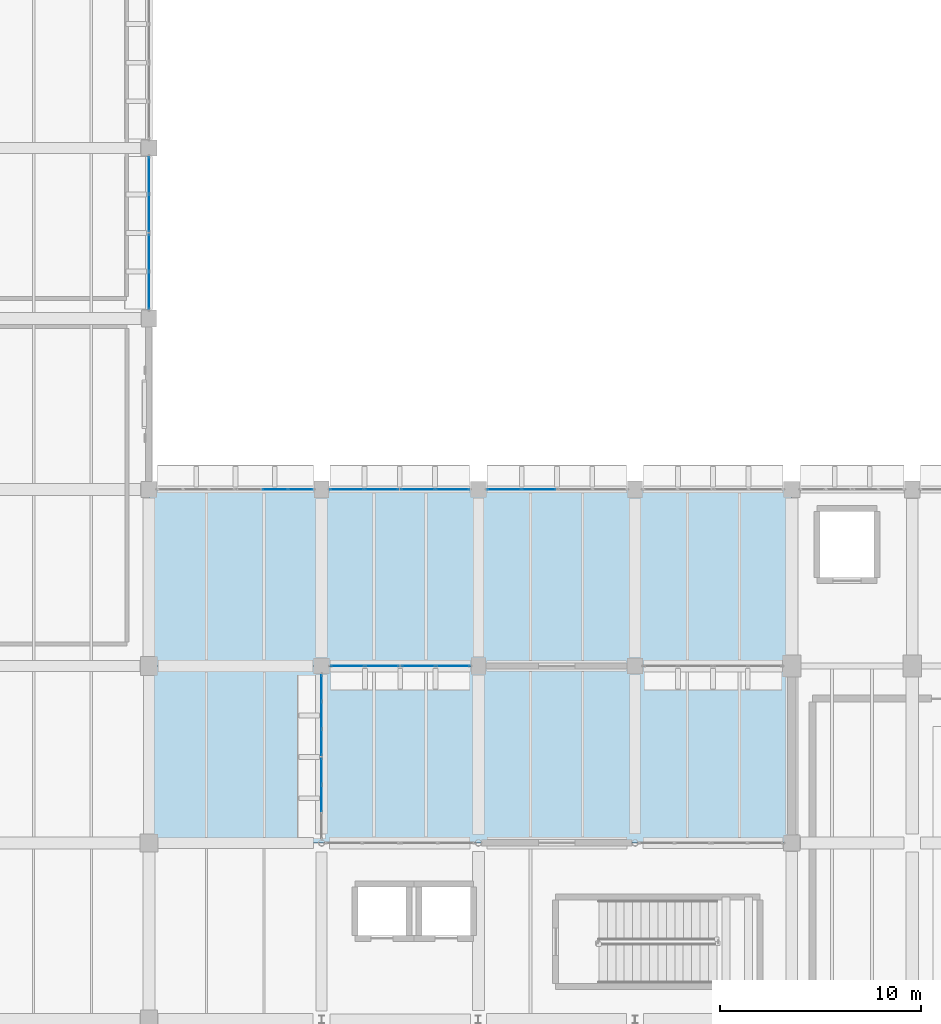
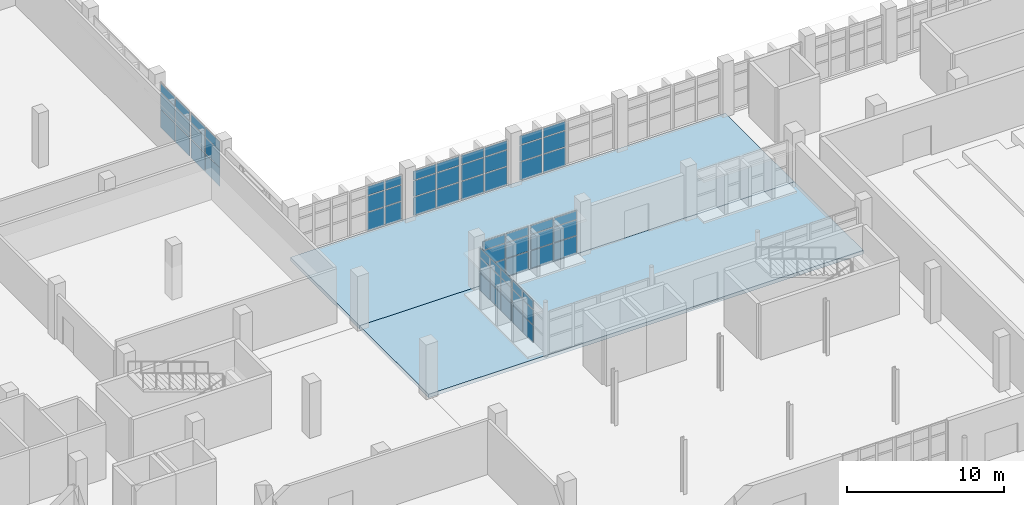
# One storey, part 51 of 76: 63 plates, 2 slabs, 10 elements without a shape of their own.
"""IFC4 building model written with IfcOpenShell, lengths in metres."""

from ifc_helpers import new_model, si_unit, direction, frame, origin, origin_2d, place, context, subcontext, project, spatial, polyline, rectangle, outline, extrude, material, layer, layer_set, type_object, element, aggregate, save


model = new_model("IFC4")

# Units and contexts
model_context = context("Model", 3, precision=1e-05, world=origin(), true_north=direction((0.0, 1.0)))
body_context = subcontext(model_context, "Body", "Model", "MODEL_VIEW")
ifc_project = project(units=[si_unit("LENGTHUNIT", "METRE"), si_unit("AREAUNIT", "SQUARE_METRE"), si_unit("VOLUMEUNIT", "CUBIC_METRE"), si_unit("PLANEANGLEUNIT", "RADIAN"), si_unit("MASSUNIT", "GRAM", prefix="KILO")], contexts=[model_context])

# Site, building, storey
site_placement = place(None, origin())
site = spatial("IfcSite", under=ifc_project, at=site_placement, CompositionType="ELEMENT")
building_placement = place(site_placement, origin())
building = spatial("IfcBuilding", under=site, at=building_placement, Name="Varnakota Cinema and Media Centre", CompositionType="ELEMENT")
storey_placement = place(building_placement, origin())
storey = spatial("IfcBuildingStorey", under=building, at=storey_placement, Name="L00", CompositionType="ELEMENT", Elevation=0.0)

# Curtain wall, plates
ifc_material_1 = material(Name="Thermally broken anodised aluminium AW-6063", Category="aluminium")
curtain_wall_type_1 = type_object("IfcCurtainWallType", Name="CW-STD-389x358", PredefinedType="USERDEFINED", material=ifc_material_1)
curtain_wall_1_placement = place(storey_placement, origin())
curtain_wall_1 = element("IfcCurtainWall", 1, at=curtain_wall_1_placement, inside=storey, type_object=curtain_wall_type_1, Name="L00 curtain wall CW-L00-LINK-N-01-2", ObjectType="UNITISED CURTAIN WALL", PredefinedType="USERDEFINED")
ifc_material_2 = material(Name="Laminated solar-control double glazing", Category="glass")
ifc_layer_1 = layer(ifc_material_2, 0.028076171875)
ifc_layer_set_1 = layer_set([ifc_layer_1], Name="Laminated solar-control double glazing")
plate_type = type_object("IfcPlateType", Name="CWP-DGU-28", PredefinedType="CURTAIN_PANEL", material=ifc_layer_set_1)
plate_1_placement = place(storey_placement, frame((49.27880859375, 44.0, 0.06494140625), z_axis=(0.0, 0.0, 1.0), x_axis=(1.0, 0.0, 0.0)))
plate_1 = element("IfcPlate", 2, at=plate_1_placement, type_object=plate_type, Name="CW07 panel 2.1", PredefinedType="CURTAIN_PANEL", context=body_context, shape_type="SweptSolid", body=[
    extrude(rectangle(XDim=1.232421875, YDim=0.028076171875, at=origin_2d()), origin(), (0.0, 0.0, 1.0), 1.408203125),
])
plate_2_placement = place(storey_placement, frame((49.27880859375, 44.0, 1.5380859375), z_axis=(0.0, 0.0, 1.0), x_axis=(1.0, 0.0, 0.0)))
plate_2 = element("IfcPlate", 3, at=plate_2_placement, type_object=plate_type, Name="CW07 panel 2.2", PredefinedType="CURTAIN_PANEL", context=body_context, shape_type="SweptSolid", body=[
    extrude(rectangle(XDim=1.232421875, YDim=0.028076171875, at=origin_2d()), origin(), (0.0, 0.0, 1.0), 1.2255859375),
])
plate_3_placement = place(storey_placement, frame((49.27880859375, 44.0, 2.82861328125), z_axis=(0.0, 0.0, 1.0), x_axis=(1.0, 0.0, 0.0)))
plate_3 = element("IfcPlate", 4, at=plate_3_placement, type_object=plate_type, Name="CW07 panel 2.3", PredefinedType="CURTAIN_PANEL", context=body_context, shape_type="SweptSolid", body=[
    extrude(rectangle(XDim=1.232421875, YDim=0.028076171875, at=origin_2d()), origin(), (0.0, 0.0, 1.0), 0.691162109375),
])
plate_4_placement = place(storey_placement, frame((50.56005859375, 44.0, 0.06494140625), z_axis=(0.0, 0.0, 1.0), x_axis=(1.0, 0.0, 0.0)))
plate_4 = element("IfcPlate", 5, at=plate_4_placement, type_object=plate_type, Name="CW07 panel 3.1", PredefinedType="CURTAIN_PANEL", context=body_context, shape_type="SweptSolid", body=[
    extrude(rectangle(XDim=1.199951171875, YDim=0.028076171875, at=origin_2d()), origin(), (0.0, 0.0, 1.0), 1.408203125),
])
plate_5_placement = place(storey_placement, frame((50.56005859375, 44.0, 1.5380859375), z_axis=(0.0, 0.0, 1.0), x_axis=(1.0, 0.0, 0.0)))
plate_5 = element("IfcPlate", 6, at=plate_5_placement, type_object=plate_type, Name="CW07 panel 3.2", PredefinedType="CURTAIN_PANEL", context=body_context, shape_type="SweptSolid", body=[
    extrude(rectangle(XDim=1.199951171875, YDim=0.028076171875, at=origin_2d()), origin(), (0.0, 0.0, 1.0), 1.2255859375),
])
plate_6_placement = place(storey_placement, frame((50.56005859375, 44.0, 2.82861328125), z_axis=(0.0, 0.0, 1.0), x_axis=(1.0, 0.0, 0.0)))
plate_6 = element("IfcPlate", 7, at=plate_6_placement, type_object=plate_type, Name="CW07 panel 3.3", PredefinedType="CURTAIN_PANEL", context=body_context, shape_type="SweptSolid", body=[
    extrude(rectangle(XDim=1.199951171875, YDim=0.028076171875, at=origin_2d()), origin(), (0.0, 0.0, 1.0), 0.691162109375),
])
aggregate(curtain_wall_1, [plate_1, plate_2, plate_3, plate_4, plate_5, plate_6])

ifc_material_3 = material(Name="Thermally broken anodised aluminium AW-6063", Category="aluminium")
curtain_wall_type_2 = type_object("IfcCurtainWallType", Name="CW-STD-349x358", PredefinedType="USERDEFINED", material=ifc_material_3)
curtain_wall_2_placement = place(storey_placement, origin())
curtain_wall_2 = element("IfcCurtainWall", 8, at=curtain_wall_2_placement, inside=storey, type_object=curtain_wall_type_2, Name="L00 curtain wall CW-L00-LINK-N-02-1", ObjectType="UNITISED CURTAIN WALL", PredefinedType="USERDEFINED")
plate_7_placement = place(storey_placement, frame((52.8642578125, 44.0, 0.06494140625), z_axis=(0.0, 0.0, 1.0), x_axis=(1.0, 0.0, 0.0)))
plate_7 = element("IfcPlate", 9, at=plate_7_placement, type_object=plate_type, Name="CW08 panel 1.1", PredefinedType="CURTAIN_PANEL", context=body_context, shape_type="SweptSolid", body=[
    extrude(rectangle(XDim=1.648681640625, YDim=0.028076171875, at=origin_2d()), origin(), (0.0, 0.0, 1.0), 1.408203125),
])
plate_8_placement = place(storey_placement, frame((52.8642578125, 44.0, 1.5380859375), z_axis=(0.0, 0.0, 1.0), x_axis=(1.0, 0.0, 0.0)))
plate_8 = element("IfcPlate", 10, at=plate_8_placement, type_object=plate_type, Name="CW08 panel 1.2", PredefinedType="CURTAIN_PANEL", context=body_context, shape_type="SweptSolid", body=[
    extrude(rectangle(XDim=1.648681640625, YDim=0.028076171875, at=origin_2d()), origin(), (0.0, 0.0, 1.0), 1.2255859375),
])
plate_9_placement = place(storey_placement, frame((52.8642578125, 44.0, 2.82861328125), z_axis=(0.0, 0.0, 1.0), x_axis=(1.0, 0.0, 0.0)))
plate_9 = element("IfcPlate", 11, at=plate_9_placement, type_object=plate_type, Name="CW08 panel 1.3", PredefinedType="CURTAIN_PANEL", context=body_context, shape_type="SweptSolid", body=[
    extrude(rectangle(XDim=1.648681640625, YDim=0.028076171875, at=origin_2d()), origin(), (0.0, 0.0, 1.0), 0.691162109375),
])
plate_10_placement = place(storey_placement, frame((54.578125, 44.0, 0.06494140625), z_axis=(0.0, 0.0, 1.0), x_axis=(1.0, 0.0, 0.0)))
plate_10 = element("IfcPlate", 12, at=plate_10_placement, type_object=plate_type, Name="CW08 panel 2.1", PredefinedType="CURTAIN_PANEL", context=body_context, shape_type="SweptSolid", body=[
    extrude(rectangle(XDim=1.648681640625, YDim=0.028076171875, at=origin_2d()), origin(), (0.0, 0.0, 1.0), 1.408203125),
])
plate_11_placement = place(storey_placement, frame((54.578125, 44.0, 1.5380859375), z_axis=(0.0, 0.0, 1.0), x_axis=(1.0, 0.0, 0.0)))
plate_11 = element("IfcPlate", 13, at=plate_11_placement, type_object=plate_type, Name="CW08 panel 2.2", PredefinedType="CURTAIN_PANEL", context=body_context, shape_type="SweptSolid", body=[
    extrude(rectangle(XDim=1.648681640625, YDim=0.028076171875, at=origin_2d()), origin(), (0.0, 0.0, 1.0), 1.2255859375),
])
plate_12_placement = place(storey_placement, frame((54.578125, 44.0, 2.82861328125), z_axis=(0.0, 0.0, 1.0), x_axis=(1.0, 0.0, 0.0)))
plate_12 = element("IfcPlate", 14, at=plate_12_placement, type_object=plate_type, Name="CW08 panel 2.3", PredefinedType="CURTAIN_PANEL", context=body_context, shape_type="SweptSolid", body=[
    extrude(rectangle(XDim=1.648681640625, YDim=0.028076171875, at=origin_2d()), origin(), (0.0, 0.0, 1.0), 0.691162109375),
])
aggregate(curtain_wall_2, [plate_7, plate_8, plate_9, plate_10, plate_11, plate_12])

curtain_wall_3_placement = place(storey_placement, origin())
curtain_wall_3 = element("IfcCurtainWall", 15, at=curtain_wall_3_placement, inside=storey, type_object=curtain_wall_type_2, Name="L00 curtain wall CW-L00-LINK-N-02-2", ObjectType="UNITISED CURTAIN WALL", PredefinedType="USERDEFINED")
plate_13_placement = place(storey_placement, frame((56.39697265625, 44.0, 0.06494140625), z_axis=(0.0, 0.0, 1.0), x_axis=(1.0, 0.0, 0.0)))
plate_13 = element("IfcPlate", 16, at=plate_13_placement, type_object=plate_type, Name="CW08 panel 1.1", PredefinedType="CURTAIN_PANEL", context=body_context, shape_type="SweptSolid", body=[
    extrude(rectangle(XDim=1.648681640625, YDim=0.028076171875, at=origin_2d()), origin(), (0.0, 0.0, 1.0), 1.408203125),
])
plate_14_placement = place(storey_placement, frame((56.39697265625, 44.0, 1.5380859375), z_axis=(0.0, 0.0, 1.0), x_axis=(1.0, 0.0, 0.0)))
plate_14 = element("IfcPlate", 17, at=plate_14_placement, type_object=plate_type, Name="CW08 panel 1.2", PredefinedType="CURTAIN_PANEL", context=body_context, shape_type="SweptSolid", body=[
    extrude(rectangle(XDim=1.648681640625, YDim=0.028076171875, at=origin_2d()), origin(), (0.0, 0.0, 1.0), 1.2255859375),
])
plate_15_placement = place(storey_placement, frame((56.39697265625, 44.0, 2.82861328125), z_axis=(0.0, 0.0, 1.0), x_axis=(1.0, 0.0, 0.0)))
plate_15 = element("IfcPlate", 18, at=plate_15_placement, type_object=plate_type, Name="CW08 panel 1.3", PredefinedType="CURTAIN_PANEL", context=body_context, shape_type="SweptSolid", body=[
    extrude(rectangle(XDim=1.648681640625, YDim=0.028076171875, at=origin_2d()), origin(), (0.0, 0.0, 1.0), 0.691162109375),
])
plate_16_placement = place(storey_placement, frame((58.110595703125, 44.0, 0.06494140625), z_axis=(0.0, 0.0, 1.0), x_axis=(1.0, 0.0, 0.0)))
plate_16 = element("IfcPlate", 19, at=plate_16_placement, type_object=plate_type, Name="CW08 panel 2.1", PredefinedType="CURTAIN_PANEL", context=body_context, shape_type="SweptSolid", body=[
    extrude(rectangle(XDim=1.648681640625, YDim=0.028076171875, at=origin_2d()), origin(), (0.0, 0.0, 1.0), 1.408203125),
])
plate_17_placement = place(storey_placement, frame((58.110595703125, 44.0, 1.5380859375), z_axis=(0.0, 0.0, 1.0), x_axis=(1.0, 0.0, 0.0)))
plate_17 = element("IfcPlate", 20, at=plate_17_placement, type_object=plate_type, Name="CW08 panel 2.2", PredefinedType="CURTAIN_PANEL", context=body_context, shape_type="SweptSolid", body=[
    extrude(rectangle(XDim=1.648681640625, YDim=0.028076171875, at=origin_2d()), origin(), (0.0, 0.0, 1.0), 1.2255859375),
])
plate_18_placement = place(storey_placement, frame((58.110595703125, 44.0, 2.82861328125), z_axis=(0.0, 0.0, 1.0), x_axis=(1.0, 0.0, 0.0)))
plate_18 = element("IfcPlate", 21, at=plate_18_placement, type_object=plate_type, Name="CW08 panel 2.3", PredefinedType="CURTAIN_PANEL", context=body_context, shape_type="SweptSolid", body=[
    extrude(rectangle(XDim=1.648681640625, YDim=0.028076171875, at=origin_2d()), origin(), (0.0, 0.0, 1.0), 0.691162109375),
])
aggregate(curtain_wall_3, [plate_13, plate_14, plate_15, plate_16, plate_17, plate_18])

curtain_wall_4_placement = place(storey_placement, origin())
curtain_wall_4 = element("IfcCurtainWall", 22, at=curtain_wall_4_placement, inside=storey, type_object=curtain_wall_type_2, Name="L00 curtain wall CW-L00-LINK-N-03-1", ObjectType="UNITISED CURTAIN WALL", PredefinedType="USERDEFINED")
plate_19_placement = place(storey_placement, frame((60.689453125, 44.0, 0.06494140625), z_axis=(0.0, 0.0, 1.0), x_axis=(1.0, 0.0, 0.0)))
plate_19 = element("IfcPlate", 23, at=plate_19_placement, type_object=plate_type, Name="CW08 panel 1.1", PredefinedType="CURTAIN_PANEL", context=body_context, shape_type="SweptSolid", body=[
    extrude(rectangle(XDim=1.648681640625, YDim=0.028076171875, at=origin_2d()), origin(), (0.0, 0.0, 1.0), 1.408203125),
])
plate_20_placement = place(storey_placement, frame((60.689453125, 44.0, 1.5380859375), z_axis=(0.0, 0.0, 1.0), x_axis=(1.0, 0.0, 0.0)))
plate_20 = element("IfcPlate", 24, at=plate_20_placement, type_object=plate_type, Name="CW08 panel 1.2", PredefinedType="CURTAIN_PANEL", context=body_context, shape_type="SweptSolid", body=[
    extrude(rectangle(XDim=1.648681640625, YDim=0.028076171875, at=origin_2d()), origin(), (0.0, 0.0, 1.0), 1.2255859375),
])
plate_21_placement = place(storey_placement, frame((60.689453125, 44.0, 2.82861328125), z_axis=(0.0, 0.0, 1.0), x_axis=(1.0, 0.0, 0.0)))
plate_21 = element("IfcPlate", 25, at=plate_21_placement, type_object=plate_type, Name="CW08 panel 1.3", PredefinedType="CURTAIN_PANEL", context=body_context, shape_type="SweptSolid", body=[
    extrude(rectangle(XDim=1.648681640625, YDim=0.028076171875, at=origin_2d()), origin(), (0.0, 0.0, 1.0), 0.691162109375),
])
plate_22_placement = place(storey_placement, frame((62.403076171875, 44.0, 0.06494140625), z_axis=(0.0, 0.0, 1.0), x_axis=(1.0, 0.0, 0.0)))
plate_22 = element("IfcPlate", 26, at=plate_22_placement, type_object=plate_type, Name="CW08 panel 2.1", PredefinedType="CURTAIN_PANEL", context=body_context, shape_type="SweptSolid", body=[
    extrude(rectangle(XDim=1.648681640625, YDim=0.028076171875, at=origin_2d()), origin(), (0.0, 0.0, 1.0), 1.408203125),
])
plate_23_placement = place(storey_placement, frame((62.403076171875, 44.0, 1.5380859375), z_axis=(0.0, 0.0, 1.0), x_axis=(1.0, 0.0, 0.0)))
plate_23 = element("IfcPlate", 27, at=plate_23_placement, type_object=plate_type, Name="CW08 panel 2.2", PredefinedType="CURTAIN_PANEL", context=body_context, shape_type="SweptSolid", body=[
    extrude(rectangle(XDim=1.648681640625, YDim=0.028076171875, at=origin_2d()), origin(), (0.0, 0.0, 1.0), 1.2255859375),
])
plate_24_placement = place(storey_placement, frame((62.403076171875, 44.0, 2.82861328125), z_axis=(0.0, 0.0, 1.0), x_axis=(1.0, 0.0, 0.0)))
plate_24 = element("IfcPlate", 28, at=plate_24_placement, type_object=plate_type, Name="CW08 panel 2.3", PredefinedType="CURTAIN_PANEL", context=body_context, shape_type="SweptSolid", body=[
    extrude(rectangle(XDim=1.648681640625, YDim=0.028076171875, at=origin_2d()), origin(), (0.0, 0.0, 1.0), 0.691162109375),
])
aggregate(curtain_wall_4, [plate_19, plate_20, plate_21, plate_22, plate_23, plate_24])

ifc_material_4 = material(Name="Thermally broken anodised aluminium AW-6063", Category="aluminium")
curtain_wall_type_3 = type_object("IfcCurtainWallType", Name="CW-STD-349x344", PredefinedType="USERDEFINED", material=ifc_material_4)
curtain_wall_5_placement = place(storey_placement, origin())
curtain_wall_5 = element("IfcCurtainWall", 29, at=curtain_wall_5_placement, inside=storey, type_object=curtain_wall_type_3, Name="L00 curtain wall CW-L00-LINK-S-03-1", ObjectType="UNITISED CURTAIN WALL", PredefinedType="USERDEFINED")
plate_25_placement = place(storey_placement, frame((58.1357421875, 35.199951171875, 0.06494140625), z_axis=(0.0, 0.0, 1.0), x_axis=(-1.0, 0.0, 0.0)))
plate_25 = element("IfcPlate", 30, at=plate_25_placement, type_object=plate_type, Name="CW12 panel 1.1", PredefinedType="CURTAIN_PANEL", context=body_context, shape_type="SweptSolid", body=[
    extrude(rectangle(XDim=1.648681640625, YDim=0.028076171875, at=origin_2d()), origin(), (0.0, 0.0, 1.0), 1.34521484375),
])
plate_26_placement = place(storey_placement, frame((58.1357421875, 35.199951171875, 1.47509765625), z_axis=(0.0, 0.0, 1.0), x_axis=(-1.0, 0.0, 0.0)))
plate_26 = element("IfcPlate", 31, at=plate_26_placement, type_object=plate_type, Name="CW12 panel 1.2", PredefinedType="CURTAIN_PANEL", context=body_context, shape_type="SweptSolid", body=[
    extrude(rectangle(XDim=1.648681640625, YDim=0.028076171875, at=origin_2d()), origin(), (0.0, 0.0, 1.0), 1.171630859375),
])
plate_27_placement = place(storey_placement, frame((58.1357421875, 35.199951171875, 2.7119140625), z_axis=(0.0, 0.0, 1.0), x_axis=(-1.0, 0.0, 0.0)))
plate_27 = element("IfcPlate", 32, at=plate_27_placement, type_object=plate_type, Name="CW12 panel 1.3", PredefinedType="CURTAIN_PANEL", context=body_context, shape_type="SweptSolid", body=[
    extrude(rectangle(XDim=1.648681640625, YDim=0.028076171875, at=origin_2d()), origin(), (0.0, 0.0, 1.0), 0.658203125),
])
plate_28_placement = place(storey_placement, frame((56.421875, 35.199951171875, 0.06494140625), z_axis=(0.0, 0.0, 1.0), x_axis=(-1.0, 0.0, 0.0)))
plate_28 = element("IfcPlate", 33, at=plate_28_placement, type_object=plate_type, Name="CW12 panel 2.1", PredefinedType="CURTAIN_PANEL", context=body_context, shape_type="SweptSolid", body=[
    extrude(rectangle(XDim=1.648681640625, YDim=0.028076171875, at=origin_2d()), origin(), (0.0, 0.0, 1.0), 1.34521484375),
])
plate_29_placement = place(storey_placement, frame((56.421875, 35.199951171875, 1.47509765625), z_axis=(0.0, 0.0, 1.0), x_axis=(-1.0, 0.0, 0.0)))
plate_29 = element("IfcPlate", 34, at=plate_29_placement, type_object=plate_type, Name="CW12 panel 2.2", PredefinedType="CURTAIN_PANEL", context=body_context, shape_type="SweptSolid", body=[
    extrude(rectangle(XDim=1.648681640625, YDim=0.028076171875, at=origin_2d()), origin(), (0.0, 0.0, 1.0), 1.171630859375),
])
plate_30_placement = place(storey_placement, frame((56.421875, 35.199951171875, 2.7119140625), z_axis=(0.0, 0.0, 1.0), x_axis=(-1.0, 0.0, 0.0)))
plate_30 = element("IfcPlate", 35, at=plate_30_placement, type_object=plate_type, Name="CW12 panel 2.3", PredefinedType="CURTAIN_PANEL", context=body_context, shape_type="SweptSolid", body=[
    extrude(rectangle(XDim=1.648681640625, YDim=0.028076171875, at=origin_2d()), origin(), (0.0, 0.0, 1.0), 0.658203125),
])
aggregate(curtain_wall_5, [plate_25, plate_26, plate_27, plate_28, plate_29, plate_30])

curtain_wall_6_placement = place(storey_placement, origin())
curtain_wall_6 = element("IfcCurtainWall", 36, at=curtain_wall_6_placement, inside=storey, type_object=curtain_wall_type_3, Name="L00 curtain wall CW-L00-LINK-S-03-2", ObjectType="UNITISED CURTAIN WALL", PredefinedType="USERDEFINED")
plate_31_placement = place(storey_placement, frame((54.60302734375, 35.199951171875, 0.06494140625), z_axis=(0.0, 0.0, 1.0), x_axis=(-1.0, 0.0, 0.0)))
plate_31 = element("IfcPlate", 37, at=plate_31_placement, type_object=plate_type, Name="CW12 panel 1.1", PredefinedType="CURTAIN_PANEL", context=body_context, shape_type="SweptSolid", body=[
    extrude(rectangle(XDim=1.648681640625, YDim=0.028076171875, at=origin_2d()), origin(), (0.0, 0.0, 1.0), 1.34521484375),
])
plate_32_placement = place(storey_placement, frame((54.60302734375, 35.199951171875, 1.47509765625), z_axis=(0.0, 0.0, 1.0), x_axis=(-1.0, 0.0, 0.0)))
plate_32 = element("IfcPlate", 38, at=plate_32_placement, type_object=plate_type, Name="CW12 panel 1.2", PredefinedType="CURTAIN_PANEL", context=body_context, shape_type="SweptSolid", body=[
    extrude(rectangle(XDim=1.648681640625, YDim=0.028076171875, at=origin_2d()), origin(), (0.0, 0.0, 1.0), 1.171630859375),
])
plate_33_placement = place(storey_placement, frame((54.60302734375, 35.199951171875, 2.7119140625), z_axis=(0.0, 0.0, 1.0), x_axis=(-1.0, 0.0, 0.0)))
plate_33 = element("IfcPlate", 39, at=plate_33_placement, type_object=plate_type, Name="CW12 panel 1.3", PredefinedType="CURTAIN_PANEL", context=body_context, shape_type="SweptSolid", body=[
    extrude(rectangle(XDim=1.648681640625, YDim=0.028076171875, at=origin_2d()), origin(), (0.0, 0.0, 1.0), 0.658203125),
])
plate_34_placement = place(storey_placement, frame((52.889404296875, 35.199951171875, 0.06494140625), z_axis=(0.0, 0.0, 1.0), x_axis=(-1.0, 0.0, 0.0)))
plate_34 = element("IfcPlate", 40, at=plate_34_placement, type_object=plate_type, Name="CW12 panel 2.1", PredefinedType="CURTAIN_PANEL", context=body_context, shape_type="SweptSolid", body=[
    extrude(rectangle(XDim=1.648681640625, YDim=0.028076171875, at=origin_2d()), origin(), (0.0, 0.0, 1.0), 1.34521484375),
])
plate_35_placement = place(storey_placement, frame((52.889404296875, 35.199951171875, 1.47509765625), z_axis=(0.0, 0.0, 1.0), x_axis=(-1.0, 0.0, 0.0)))
plate_35 = element("IfcPlate", 41, at=plate_35_placement, type_object=plate_type, Name="CW12 panel 2.2", PredefinedType="CURTAIN_PANEL", context=body_context, shape_type="SweptSolid", body=[
    extrude(rectangle(XDim=1.648681640625, YDim=0.028076171875, at=origin_2d()), origin(), (0.0, 0.0, 1.0), 1.171630859375),
])
plate_36_placement = place(storey_placement, frame((52.889404296875, 35.199951171875, 2.7119140625), z_axis=(0.0, 0.0, 1.0), x_axis=(-1.0, 0.0, 0.0)))
plate_36 = element("IfcPlate", 42, at=plate_36_placement, type_object=plate_type, Name="CW12 panel 2.3", PredefinedType="CURTAIN_PANEL", context=body_context, shape_type="SweptSolid", body=[
    extrude(rectangle(XDim=1.648681640625, YDim=0.028076171875, at=origin_2d()), origin(), (0.0, 0.0, 1.0), 0.658203125),
])
aggregate(curtain_wall_6, [plate_31, plate_32, plate_33, plate_34, plate_35, plate_36])

ifc_material_5 = material(Name="Thermally broken anodised aluminium AW-6063", Category="aluminium")
curtain_wall_type_4 = type_object("IfcCurtainWallType", Name="CW-STD-410x338", PredefinedType="USERDEFINED", material=ifc_material_5)
curtain_wall_7_placement = place(storey_placement, origin())
curtain_wall_7 = element("IfcCurtainWall", 43, at=curtain_wall_7_placement, inside=storey, type_object=curtain_wall_type_4, Name="L00 curtain wall CW-L00-WLINK-E-01-1", ObjectType="UNITISED CURTAIN WALL", PredefinedType="USERDEFINED")
plate_37_placement = place(storey_placement, frame((51.60009765625, 28.611572265625, 0.06494140625), z_axis=(0.0, 0.0, 1.0), x_axis=(0.0, 1.0, 0.0)))
plate_37 = element("IfcPlate", 44, at=plate_37_placement, type_object=plate_type, Name="CW13 panel 2.1", PredefinedType="CURTAIN_PANEL", context=body_context, shape_type="SweptSolid", body=[
    extrude(rectangle(XDim=1.30126953125, YDim=0.028076171875, at=origin_2d()), origin(), (0.0, 0.0, 1.0), 1.32421875),
])
plate_38_placement = place(storey_placement, frame((51.60009765625, 28.611572265625, 1.4541015625), z_axis=(0.0, 0.0, 1.0), x_axis=(0.0, 1.0, 0.0)))
plate_38 = element("IfcPlate", 45, at=plate_38_placement, type_object=plate_type, Name="CW13 panel 2.2", PredefinedType="CURTAIN_PANEL", context=body_context, shape_type="SweptSolid", body=[
    extrude(rectangle(XDim=1.30126953125, YDim=0.028076171875, at=origin_2d()), origin(), (0.0, 0.0, 1.0), 1.153564453125),
])
plate_39_placement = place(storey_placement, frame((51.60009765625, 28.611572265625, 2.6728515625), z_axis=(0.0, 0.0, 1.0), x_axis=(0.0, 1.0, 0.0)))
plate_39 = element("IfcPlate", 46, at=plate_39_placement, type_object=plate_type, Name="CW13 panel 2.3", PredefinedType="CURTAIN_PANEL", context=body_context, shape_type="SweptSolid", body=[
    extrude(rectangle(XDim=1.30126953125, YDim=0.028076171875, at=origin_2d()), origin(), (0.0, 0.0, 1.0), 0.647216796875),
])
plate_40_placement = place(storey_placement, frame((51.60009765625, 29.961669921875, 0.06494140625), z_axis=(0.0, 0.0, 1.0), x_axis=(0.0, 1.0, 0.0)))
plate_40 = element("IfcPlate", 47, at=plate_40_placement, type_object=plate_type, Name="CW13 panel 3.1", PredefinedType="CURTAIN_PANEL", context=body_context, shape_type="SweptSolid", body=[
    extrude(rectangle(XDim=1.268798828125, YDim=0.028076171875, at=origin_2d()), origin(), (0.0, 0.0, 1.0), 1.32421875),
])
plate_41_placement = place(storey_placement, frame((51.60009765625, 29.961669921875, 1.4541015625), z_axis=(0.0, 0.0, 1.0), x_axis=(0.0, 1.0, 0.0)))
plate_41 = element("IfcPlate", 48, at=plate_41_placement, type_object=plate_type, Name="CW13 panel 3.2", PredefinedType="CURTAIN_PANEL", context=body_context, shape_type="SweptSolid", body=[
    extrude(rectangle(XDim=1.268798828125, YDim=0.028076171875, at=origin_2d()), origin(), (0.0, 0.0, 1.0), 1.153564453125),
])
plate_42_placement = place(storey_placement, frame((51.60009765625, 29.961669921875, 2.6728515625), z_axis=(0.0, 0.0, 1.0), x_axis=(0.0, 1.0, 0.0)))
plate_42 = element("IfcPlate", 49, at=plate_42_placement, type_object=plate_type, Name="CW13 panel 3.3", PredefinedType="CURTAIN_PANEL", context=body_context, shape_type="SweptSolid", body=[
    extrude(rectangle(XDim=1.268798828125, YDim=0.028076171875, at=origin_2d()), origin(), (0.0, 0.0, 1.0), 0.647216796875),
])
aggregate(curtain_wall_7, [plate_37, plate_38, plate_39, plate_40, plate_41, plate_42])

curtain_wall_8_placement = place(storey_placement, origin())
curtain_wall_8 = element("IfcCurtainWall", 50, at=curtain_wall_8_placement, inside=storey, type_object=curtain_wall_type_4, Name="L00 curtain wall CW-L00-WLINK-E-01-2", ObjectType="UNITISED CURTAIN WALL", PredefinedType="USERDEFINED")
plate_43_placement = place(storey_placement, frame((51.60009765625, 31.400390625, 0.06494140625), z_axis=(0.0, 0.0, 1.0), x_axis=(0.0, 1.0, 0.0)))
plate_43 = element("IfcPlate", 51, at=plate_43_placement, type_object=plate_type, Name="CW13 panel 1.1", PredefinedType="CURTAIN_PANEL", context=body_context, shape_type="SweptSolid", body=[
    extrude(rectangle(XDim=1.268798828125, YDim=0.028076171875, at=origin_2d()), origin(), (0.0, 0.0, 1.0), 1.32421875),
])
plate_44_placement = place(storey_placement, frame((51.60009765625, 31.400390625, 1.4541015625), z_axis=(0.0, 0.0, 1.0), x_axis=(0.0, 1.0, 0.0)))
plate_44 = element("IfcPlate", 52, at=plate_44_placement, type_object=plate_type, Name="CW13 panel 1.2", PredefinedType="CURTAIN_PANEL", context=body_context, shape_type="SweptSolid", body=[
    extrude(rectangle(XDim=1.268798828125, YDim=0.028076171875, at=origin_2d()), origin(), (0.0, 0.0, 1.0), 1.153564453125),
])
plate_45_placement = place(storey_placement, frame((51.60009765625, 31.400390625, 2.6728515625), z_axis=(0.0, 0.0, 1.0), x_axis=(0.0, 1.0, 0.0)))
plate_45 = element("IfcPlate", 53, at=plate_45_placement, type_object=plate_type, Name="CW13 panel 1.3", PredefinedType="CURTAIN_PANEL", context=body_context, shape_type="SweptSolid", body=[
    extrude(rectangle(XDim=1.268798828125, YDim=0.028076171875, at=origin_2d()), origin(), (0.0, 0.0, 1.0), 0.647216796875),
])
plate_46_placement = place(storey_placement, frame((51.60009765625, 32.75048828125, 0.06494140625), z_axis=(0.0, 0.0, 1.0), x_axis=(0.0, 1.0, 0.0)))
plate_46 = element("IfcPlate", 54, at=plate_46_placement, type_object=plate_type, Name="CW13 panel 2.1", PredefinedType="CURTAIN_PANEL", context=body_context, shape_type="SweptSolid", body=[
    extrude(rectangle(XDim=1.30126953125, YDim=0.028076171875, at=origin_2d()), origin(), (0.0, 0.0, 1.0), 1.32421875),
])
plate_47_placement = place(storey_placement, frame((51.60009765625, 32.75048828125, 1.4541015625), z_axis=(0.0, 0.0, 1.0), x_axis=(0.0, 1.0, 0.0)))
plate_47 = element("IfcPlate", 55, at=plate_47_placement, type_object=plate_type, Name="CW13 panel 2.2", PredefinedType="CURTAIN_PANEL", context=body_context, shape_type="SweptSolid", body=[
    extrude(rectangle(XDim=1.30126953125, YDim=0.028076171875, at=origin_2d()), origin(), (0.0, 0.0, 1.0), 1.153564453125),
])
plate_48_placement = place(storey_placement, frame((51.60009765625, 32.75048828125, 2.6728515625), z_axis=(0.0, 0.0, 1.0), x_axis=(0.0, 1.0, 0.0)))
plate_48 = element("IfcPlate", 56, at=plate_48_placement, type_object=plate_type, Name="CW13 panel 2.3", PredefinedType="CURTAIN_PANEL", context=body_context, shape_type="SweptSolid", body=[
    extrude(rectangle(XDim=1.30126953125, YDim=0.028076171875, at=origin_2d()), origin(), (0.0, 0.0, 1.0), 0.647216796875),
])
plate_49_placement = place(storey_placement, frame((51.60009765625, 34.1005859375, 0.06494140625), z_axis=(0.0, 0.0, 1.0), x_axis=(0.0, 1.0, 0.0)))
plate_49 = element("IfcPlate", 57, at=plate_49_placement, type_object=plate_type, Name="CW13 panel 3.1", PredefinedType="CURTAIN_PANEL", context=body_context, shape_type="SweptSolid", body=[
    extrude(rectangle(XDim=1.268798828125, YDim=0.028076171875, at=origin_2d()), origin(), (0.0, 0.0, 1.0), 1.32421875),
])
plate_50_placement = place(storey_placement, frame((51.60009765625, 34.1005859375, 1.4541015625), z_axis=(0.0, 0.0, 1.0), x_axis=(0.0, 1.0, 0.0)))
plate_50 = element("IfcPlate", 58, at=plate_50_placement, type_object=plate_type, Name="CW13 panel 3.2", PredefinedType="CURTAIN_PANEL", context=body_context, shape_type="SweptSolid", body=[
    extrude(rectangle(XDim=1.268798828125, YDim=0.028076171875, at=origin_2d()), origin(), (0.0, 0.0, 1.0), 1.153564453125),
])
plate_51_placement = place(storey_placement, frame((51.60009765625, 34.1005859375, 2.6728515625), z_axis=(0.0, 0.0, 1.0), x_axis=(0.0, 1.0, 0.0)))
plate_51 = element("IfcPlate", 59, at=plate_51_placement, type_object=plate_type, Name="CW13 panel 3.3", PredefinedType="CURTAIN_PANEL", context=body_context, shape_type="SweptSolid", body=[
    extrude(rectangle(XDim=1.268798828125, YDim=0.028076171875, at=origin_2d()), origin(), (0.0, 0.0, 1.0), 0.647216796875),
])
aggregate(curtain_wall_8, [plate_43, plate_44, plate_45, plate_46, plate_47, plate_48, plate_49, plate_50, plate_51])

ifc_material_6 = material(Name="Thermally broken anodised aluminium AW-6063", Category="aluminium")
curtain_wall_type_5 = type_object("IfcCurtainWallType", Name="CW-STD-382x358", PredefinedType="USERDEFINED", material=ifc_material_6)
curtain_wall_9_placement = place(storey_placement, origin())
curtain_wall_9 = element("IfcCurtainWall", 60, at=curtain_wall_9_placement, inside=storey, type_object=curtain_wall_type_5, Name="L00 curtain wall CW-L00-V5-E-02-1", ObjectType="UNITISED CURTAIN WALL", PredefinedType="USERDEFINED")
plate_52_placement = place(storey_placement, frame((43.0, 53.8955078125, 0.06494140625), z_axis=(0.0, 0.0, 1.0), x_axis=(0.0, 1.0, 0.0)))
plate_52 = element("IfcPlate", 61, at=plate_52_placement, type_object=plate_type, Name="CW14 panel 1.1", PredefinedType="CURTAIN_PANEL", context=body_context, shape_type="SweptSolid", body=[
    extrude(rectangle(XDim=1.811279296875, YDim=0.028076171875, at=origin_2d()), origin(), (0.0, 0.0, 1.0), 1.408203125),
])
plate_53_placement = place(storey_placement, frame((43.0, 53.8955078125, 1.5380859375), z_axis=(0.0, 0.0, 1.0), x_axis=(0.0, 1.0, 0.0)))
plate_53 = element("IfcPlate", 62, at=plate_53_placement, type_object=plate_type, Name="CW14 panel 1.2", PredefinedType="CURTAIN_PANEL", context=body_context, shape_type="SweptSolid", body=[
    extrude(rectangle(XDim=1.811279296875, YDim=0.028076171875, at=origin_2d()), origin(), (0.0, 0.0, 1.0), 1.2255859375),
])
plate_54_placement = place(storey_placement, frame((43.0, 53.8955078125, 2.82861328125), z_axis=(0.0, 0.0, 1.0), x_axis=(0.0, 1.0, 0.0)))
plate_54 = element("IfcPlate", 63, at=plate_54_placement, type_object=plate_type, Name="CW14 panel 1.3", PredefinedType="CURTAIN_PANEL", context=body_context, shape_type="SweptSolid", body=[
    extrude(rectangle(XDim=1.811279296875, YDim=0.028076171875, at=origin_2d()), origin(), (0.0, 0.0, 1.0), 0.691162109375),
])
plate_55_placement = place(storey_placement, frame((43.0, 55.77197265625, 0.06494140625), z_axis=(0.0, 0.0, 1.0), x_axis=(0.0, 1.0, 0.0)))
plate_55 = element("IfcPlate", 64, at=plate_55_placement, type_object=plate_type, Name="CW14 panel 2.1", PredefinedType="CURTAIN_PANEL", context=body_context, shape_type="SweptSolid", body=[
    extrude(rectangle(XDim=1.811279296875, YDim=0.028076171875, at=origin_2d()), origin(), (0.0, 0.0, 1.0), 1.408203125),
])
plate_56_placement = place(storey_placement, frame((43.0, 55.77197265625, 1.5380859375), z_axis=(0.0, 0.0, 1.0), x_axis=(0.0, 1.0, 0.0)))
plate_56 = element("IfcPlate", 65, at=plate_56_placement, type_object=plate_type, Name="CW14 panel 2.2", PredefinedType="CURTAIN_PANEL", context=body_context, shape_type="SweptSolid", body=[
    extrude(rectangle(XDim=1.811279296875, YDim=0.028076171875, at=origin_2d()), origin(), (0.0, 0.0, 1.0), 1.2255859375),
])
plate_57_placement = place(storey_placement, frame((43.0, 55.77197265625, 2.82861328125), z_axis=(0.0, 0.0, 1.0), x_axis=(0.0, 1.0, 0.0)))
plate_57 = element("IfcPlate", 66, at=plate_57_placement, type_object=plate_type, Name="CW14 panel 2.3", PredefinedType="CURTAIN_PANEL", context=body_context, shape_type="SweptSolid", body=[
    extrude(rectangle(XDim=1.811279296875, YDim=0.028076171875, at=origin_2d()), origin(), (0.0, 0.0, 1.0), 0.691162109375),
])
aggregate(curtain_wall_9, [plate_52, plate_53, plate_54, plate_55, plate_56, plate_57])

curtain_wall_10_placement = place(storey_placement, origin())
curtain_wall_10 = element("IfcCurtainWall", 67, at=curtain_wall_10_placement, inside=storey, type_object=curtain_wall_type_5, Name="L00 curtain wall CW-L00-V5-E-02-2", ObjectType="UNITISED CURTAIN WALL", PredefinedType="USERDEFINED")
plate_58_placement = place(storey_placement, frame((43.0, 57.753173828125, 0.06494140625), z_axis=(0.0, 0.0, 1.0), x_axis=(0.0, 1.0, 0.0)))
plate_58 = element("IfcPlate", 68, at=plate_58_placement, type_object=plate_type, Name="CW14 panel 1.1", PredefinedType="CURTAIN_PANEL", context=body_context, shape_type="SweptSolid", body=[
    extrude(rectangle(XDim=1.811279296875, YDim=0.028076171875, at=origin_2d()), origin(), (0.0, 0.0, 1.0), 1.408203125),
])
plate_59_placement = place(storey_placement, frame((43.0, 57.753173828125, 1.5380859375), z_axis=(0.0, 0.0, 1.0), x_axis=(0.0, 1.0, 0.0)))
plate_59 = element("IfcPlate", 69, at=plate_59_placement, type_object=plate_type, Name="CW14 panel 1.2", PredefinedType="CURTAIN_PANEL", context=body_context, shape_type="SweptSolid", body=[
    extrude(rectangle(XDim=1.811279296875, YDim=0.028076171875, at=origin_2d()), origin(), (0.0, 0.0, 1.0), 1.2255859375),
])
plate_60_placement = place(storey_placement, frame((43.0, 57.753173828125, 2.82861328125), z_axis=(0.0, 0.0, 1.0), x_axis=(0.0, 1.0, 0.0)))
plate_60 = element("IfcPlate", 70, at=plate_60_placement, type_object=plate_type, Name="CW14 panel 1.3", PredefinedType="CURTAIN_PANEL", context=body_context, shape_type="SweptSolid", body=[
    extrude(rectangle(XDim=1.811279296875, YDim=0.028076171875, at=origin_2d()), origin(), (0.0, 0.0, 1.0), 0.691162109375),
])
plate_61_placement = place(storey_placement, frame((43.0, 59.62939453125, 0.06494140625), z_axis=(0.0, 0.0, 1.0), x_axis=(0.0, 1.0, 0.0)))
plate_61 = element("IfcPlate", 71, at=plate_61_placement, type_object=plate_type, Name="CW14 panel 2.1", PredefinedType="CURTAIN_PANEL", context=body_context, shape_type="SweptSolid", body=[
    extrude(rectangle(XDim=1.811279296875, YDim=0.028076171875, at=origin_2d()), origin(), (0.0, 0.0, 1.0), 1.408203125),
])
plate_62_placement = place(storey_placement, frame((43.0, 59.62939453125, 1.5380859375), z_axis=(0.0, 0.0, 1.0), x_axis=(0.0, 1.0, 0.0)))
plate_62 = element("IfcPlate", 72, at=plate_62_placement, type_object=plate_type, Name="CW14 panel 2.2", PredefinedType="CURTAIN_PANEL", context=body_context, shape_type="SweptSolid", body=[
    extrude(rectangle(XDim=1.811279296875, YDim=0.028076171875, at=origin_2d()), origin(), (0.0, 0.0, 1.0), 1.2255859375),
])
plate_63_placement = place(storey_placement, frame((43.0, 59.62939453125, 2.82861328125), z_axis=(0.0, 0.0, 1.0), x_axis=(0.0, 1.0, 0.0)))
plate_63 = element("IfcPlate", 73, at=plate_63_placement, type_object=plate_type, Name="CW14 panel 2.3", PredefinedType="CURTAIN_PANEL", context=body_context, shape_type="SweptSolid", body=[
    extrude(rectangle(XDim=1.811279296875, YDim=0.028076171875, at=origin_2d()), origin(), (0.0, 0.0, 1.0), 0.691162109375),
])
aggregate(curtain_wall_10, [plate_58, plate_59, plate_60, plate_61, plate_62, plate_63])

# Slabs
ifc_material_7 = material(Name="Concrete M35", Category="concrete")
ifc_layer_2 = layer(ifc_material_7, 0.280029296875)
ifc_layer_set_2 = layer_set([ifc_layer_2], Name="Concrete M35")
slab_type_1 = type_object("IfcSlabType", Name="SLB-FLR-280", PredefinedType="FLOOR", material=ifc_layer_set_2)
slab_1_placement = place(storey_placement, frame((0.0, 0.0, -0.280029296875)))
element("IfcSlab", 74, at=slab_1_placement, inside=storey, type_object=slab_type_1, Name="L00 V7-LINK floor slab", PredefinedType="FLOOR", context=body_context, shape_type="SweptSolid", body=[
    extrude(outline(polyline([(43.0, 35.199951171875), (75.0, 35.199951171875), (75.0, 44.0), (43.0, 44.0), (43.0, 35.199951171875)])), origin(), (0.0, 0.0, 1.0), 0.280029296875),
])
ifc_material_8 = material(Name="Concrete M35", Category="concrete")
ifc_layer_3 = layer(ifc_material_8, 0.219970703125)
ifc_layer_set_3 = layer_set([ifc_layer_3], Name="Concrete M35")
slab_type_2 = type_object("IfcSlabType", Name="SLB-TERR-220", PredefinedType="FLOOR", material=ifc_layer_set_3)
slab_2_placement = place(storey_placement, frame((0.0, 0.0, -0.280029296875)))
element("IfcSlab", 75, at=slab_2_placement, inside=storey, type_object=slab_type_2, Name="L00 Central Granite Screening Chowk", PredefinedType="FLOOR", context=body_context, shape_type="SweptSolid", body=[
    extrude(outline(polyline([(43.0, 26.39990234375), (75.0, 26.39990234375), (75.0, 35.199951171875), (43.0, 35.199951171875), (43.0, 26.39990234375)])), origin(), (0.0, 0.0, 1.0), 0.280029296875),
])

save(model, "model.ifc")
